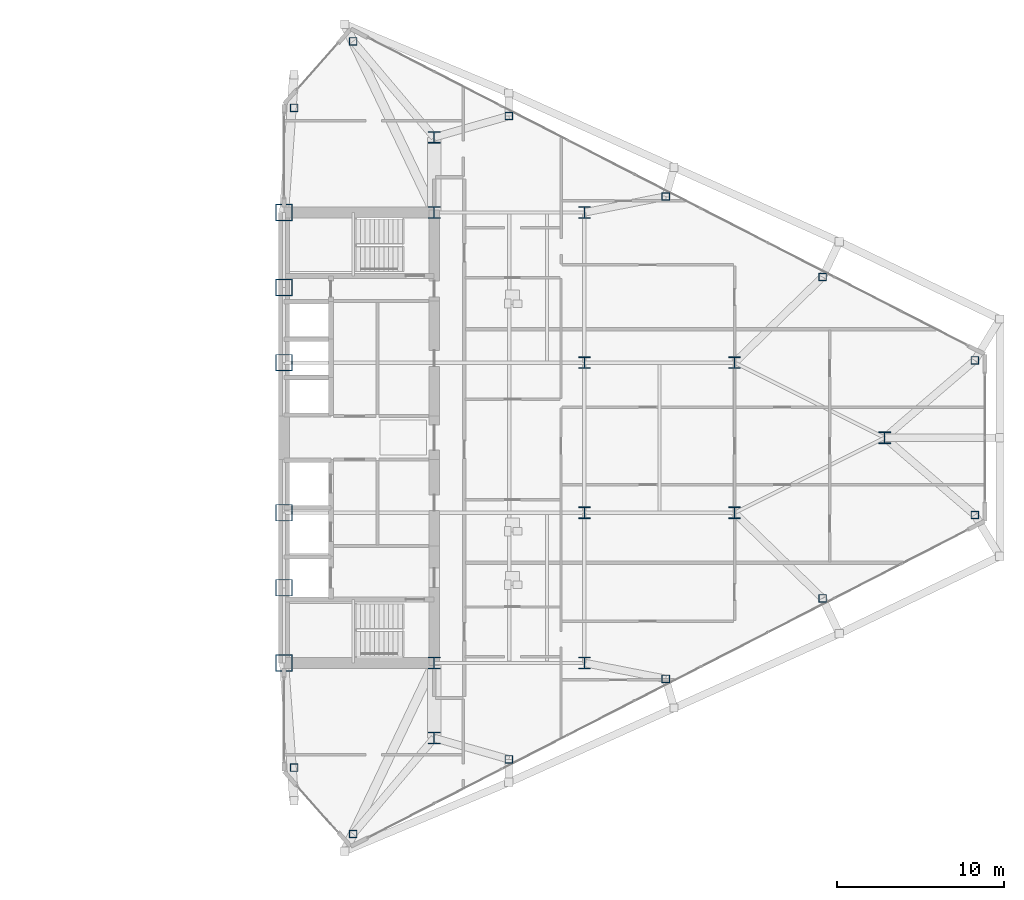
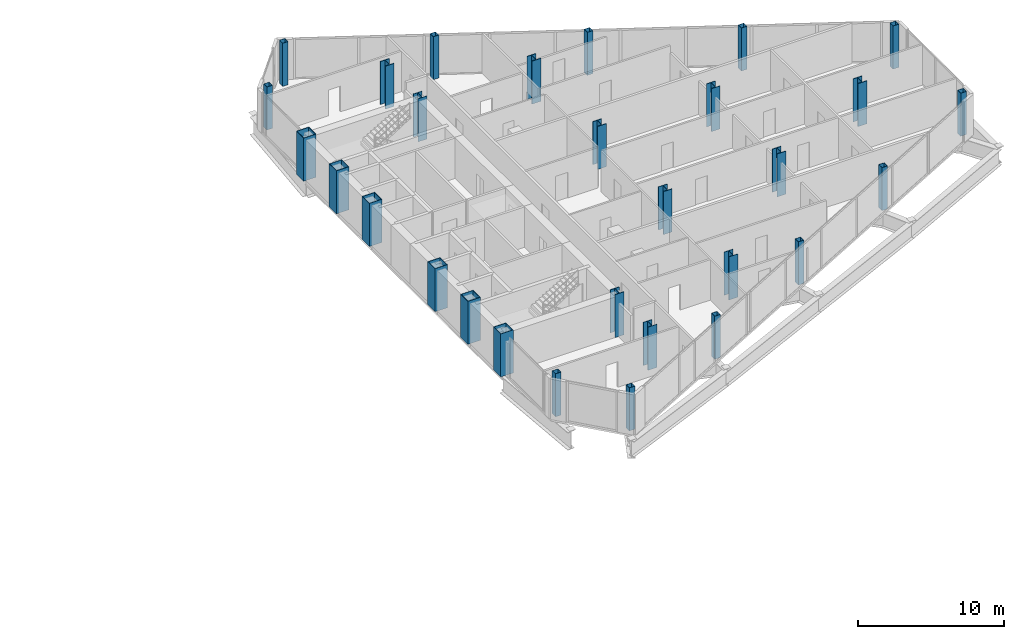
# One storey, part 2 of 28: 29 columns.
"""IFC4 building model written with IfcOpenShell, lengths in metres."""

from ifc_helpers import new_model, si_unit, direction, frame, origin, origin_2d, place, context, subcontext, project, spatial, hollow_rectangle, i_section, extrude, source, transform, mapped, material, material_profile, profile_set, type_object, type_shapes, element, save


model = new_model("IFC4")

# Units and contexts
model_context = context("Model", 3, precision=1e-05, world=origin(), true_north=direction((0.0, 1.0)))
body_context = subcontext(model_context, "Body", "Model", "MODEL_VIEW")
ifc_project = project(units=[si_unit("LENGTHUNIT", "METRE"), si_unit("AREAUNIT", "SQUARE_METRE"), si_unit("VOLUMEUNIT", "CUBIC_METRE"), si_unit("PLANEANGLEUNIT", "RADIAN"), si_unit("MASSUNIT", "GRAM", prefix="KILO")], contexts=[model_context])

# Site, building, storey
site_placement = place(None, origin())
site = spatial("IfcSite", under=ifc_project, at=site_placement, CompositionType="ELEMENT")
building_placement = place(site_placement, origin())
building = spatial("IfcBuilding", under=site, at=building_placement, Name="Seokmaru Belvedere", CompositionType="ELEMENT")
storey_placement = place(building_placement, frame((0.0, 0.0, 110.39990234375)))
storey = spatial("IfcBuildingStorey", under=building, at=storey_placement, Name="L29", CompositionType="ELEMENT", Elevation=110.39990234375)

# Columns
ifc_material_1 = material(Name="Steel HSA650 (650 MPa)", Category="steel")
ifc_material_profile_1 = material_profile(ifc_material_1, hollow_rectangle(XDim=1.0, YDim=1.0, WallThickness=0.0419921875, at=origin_2d()), Name="BOX-1000x1000x42")
ifc_profile_set_1 = profile_set([ifc_material_profile_1], Name="Steel HSA650 (650 MPa)")
column_type_1 = type_object("IfcColumnType", Name="Portal Spine Column BOX-1000", PredefinedType="COLUMN", material=ifc_profile_set_1)
shared_shape_1 = source(origin(), body_context, "Body", "SweptSolid", [
    extrude(hollow_rectangle(XDim=1.0, YDim=1.0, WallThickness=0.0419921875, at=origin_2d()), origin(), (0.0, 0.0, 1.0), 3.60009765625),
])
type_shapes(column_type_1, [shared_shape_1])
for number, where, z_axis, x_axis, name in (
    (1, (27.5, -13.5, 0.0), (0.0, 0.0, 1.0), (1.0, 0.0, 0.0), "L29 Column ES1"),
    (2, (27.5, -9.0, 0.0), (0.0, 0.0, 1.0), (1.0, 0.0, 0.0), "L29 Column ES2"),
    (3, (27.5, -4.5, 0.0), (0.0, 0.0, 1.0), (1.0, 0.0, 0.0), "L29 Column ES3"),
    (4, (27.5, 4.5, 0.0), (0.0, 0.0, 1.0), (1.0, 0.0, 0.0), "L29 Column ES4"),
    (5, (27.5, 9.0, 0.0), (0.0, 0.0, 1.0), (1.0, 0.0, 0.0), "L29 Column ES5"),
    (6, (27.5, 13.5, 0.0), (0.0, 0.0, 1.0), (1.0, 0.0, 0.0), "L29 Column ES6"),
):
    element("IfcColumn", number, at=place(storey_placement, frame(where, z_axis=z_axis, x_axis=x_axis)), inside=storey, type_object=column_type_1, Name=name, PredefinedType="COLUMN", context=body_context, shape_type="MappedRepresentation", body=[
        mapped(shared_shape_1, transform((0.0, 0.0, 0.0), scale=1.0)),
    ])
ifc_material_2 = material(Name="Steel SM355 (355 MPa)", Category="steel")
ifc_material_profile_2 = material_profile(ifc_material_2, i_section(OverallWidth=0.699951171875, OverallDepth=0.699951171875, WebThickness=0.028076171875, FlangeThickness=0.044921875, at=origin_2d()), Name="H-700x700x28x45")
ifc_profile_set_2 = profile_set([ifc_material_profile_2], Name="Steel SM355 (355 MPa)")
column_type_2 = type_object("IfcColumnType", Name="Mid Interior Column H-700", PredefinedType="COLUMN", material=ifc_profile_set_2)
shared_shape_2 = source(origin(), body_context, "Body", "SweptSolid", [
    extrude(i_section(OverallWidth=0.699951171875, OverallDepth=0.699951171875, WebThickness=0.028076171875, FlangeThickness=0.044921875, at=origin_2d()), origin(), (0.0, 0.0, 1.0), 3.60009765625),
])
type_shapes(column_type_2, [shared_shape_2])
for number, where, z_axis, x_axis, name in (
    (7, (36.5, -18.0, 0.0), (0.0, 0.0, 1.0), (1.0, 0.0, 0.0), "L29 Column EC1"),
    (8, (36.5, -13.5, 0.0), (0.0, 0.0, 1.0), (1.0, 0.0, 0.0), "L29 Column EC2"),
    (9, (36.5, 13.5, 0.0), (0.0, 0.0, 1.0), (1.0, 0.0, 0.0), "L29 Column EC3"),
    (10, (36.5, 18.0, 0.0), (0.0, 0.0, 1.0), (1.0, 0.0, 0.0), "L29 Column EC4"),
    (11, (45.5, -13.5, 0.0), (0.0, 0.0, 1.0), (1.0, 0.0, 0.0), "L29 Column EG5_1"),
    (12, (45.5, -4.5, 0.0), (0.0, 0.0, 1.0), (1.0, 0.0, 0.0), "L29 Column EG5_2"),
    (13, (45.5, 4.5, 0.0), (0.0, 0.0, 1.0), (1.0, 0.0, 0.0), "L29 Column EG5_3"),
    (14, (45.5, 13.5, 0.0), (0.0, 0.0, 1.0), (1.0, 0.0, 0.0), "L29 Column EG5_4"),
    (15, (54.5, -4.5, 0.0), (0.0, 0.0, 1.0), (1.0, 0.0, 0.0), "L29 Column EG4P_1"),
    (16, (54.5, 4.5, 0.0), (0.0, 0.0, 1.0), (1.0, 0.0, 0.0), "L29 Column EG4P_2"),
    (17, (63.5, 0.0, 0.0), (0.0, 0.0, 1.0), (1.0, 0.0, 0.0), "L29 Column EG3P_1"),
):
    element("IfcColumn", number, at=place(storey_placement, frame(where, z_axis=z_axis, x_axis=x_axis)), inside=storey, type_object=column_type_2, Name=name, PredefinedType="COLUMN", context=body_context, shape_type="MappedRepresentation", body=[
        mapped(shared_shape_2, transform((0.0, 0.0, 0.0), scale=1.0)),
    ])
ifc_material_profile_3 = material_profile(ifc_material_2, hollow_rectangle(XDim=0.449951171875, YDim=0.449951171875, WallThickness=0.01806640625, at=origin_2d()), Name="HSS-450x450x18")
ifc_profile_set_3 = profile_set([ifc_material_profile_3], Name="Steel SM355 (355 MPa)")
column_type_3 = type_object("IfcColumnType", Name="Perimeter Facet Column HSS-450", PredefinedType="COLUMN", material=ifc_profile_set_3)
shared_shape_3 = source(origin(), body_context, "Body", "SweptSolid", [
    extrude(hollow_rectangle(XDim=0.449951171875, YDim=0.449951171875, WallThickness=0.01806640625, at=origin_2d()), origin(), (0.0, 0.0, 1.0), 3.60009765625),
])
type_shapes(column_type_3, [shared_shape_3])
for number, where, z_axis, x_axis, name in (
    (18, (31.6396484375, -23.75390625, 0.0), (0.0, 0.0, 1.0), (1.0, 0.0, 0.0), "L29 Column EF1"),
    (19, (68.89990234375, -4.633544921875, 0.0), (0.0, 0.0, 1.0), (1.0, 0.0, 0.0), "L29 Column EF2"),
    (20, (68.89990234375, 4.633544921875, 0.0), (0.0, 0.0, 1.0), (1.0, 0.0, 0.0), "L29 Column EF3"),
    (21, (31.6396484375, 23.75390625, 0.0), (0.0, 0.0, 1.0), (1.0, 0.0, 0.0), "L29 Column EF4"),
    (22, (28.10009765625, 19.77197265625, 0.0), (0.0, 0.0, 1.0), (1.0, 0.0, 0.0), "L29 Column EF5"),
    (23, (28.10009765625, -19.77197265625, 0.0), (0.0, 0.0, 1.0), (1.0, 0.0, 0.0), "L29 Column EF6"),
    (24, (40.975830078125, -19.277587890625, 0.0), (0.0, 0.0, 1.0), (1.0, 0.0, 0.0), "L29 Column EFLK_S1"),
    (25, (50.377197265625, -14.453369140625, 0.0), (0.0, 0.0, 1.0), (1.0, 0.0, 0.0), "L29 Column EFLK_S2"),
    (26, (59.778564453125, -9.62890625, 0.0), (0.0, 0.0, 1.0), (1.0, 0.0, 0.0), "L29 Column EFLK_S3"),
    (27, (40.975830078125, 19.277587890625, 0.0), (0.0, 0.0, 1.0), (1.0, 0.0, 0.0), "L29 Column EFLK_N1"),
    (28, (50.377197265625, 14.453369140625, 0.0), (0.0, 0.0, 1.0), (1.0, 0.0, 0.0), "L29 Column EFLK_N2"),
    (29, (59.778564453125, 9.62890625, 0.0), (0.0, 0.0, 1.0), (1.0, 0.0, 0.0), "L29 Column EFLK_N3"),
):
    element("IfcColumn", number, at=place(storey_placement, frame(where, z_axis=z_axis, x_axis=x_axis)), inside=storey, type_object=column_type_3, Name=name, PredefinedType="COLUMN", context=body_context, shape_type="MappedRepresentation", body=[
        mapped(shared_shape_3, transform((0.0, 0.0, 0.0), scale=1.0)),
    ])

save(model, "model.ifc")
